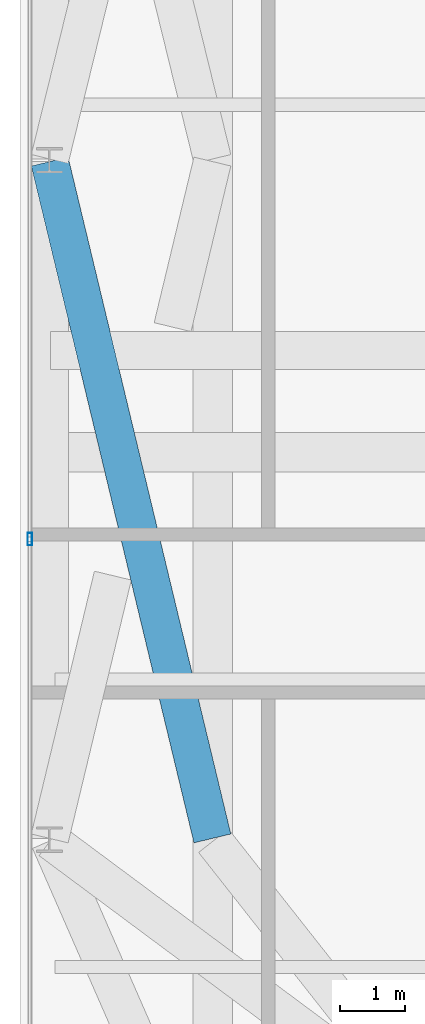
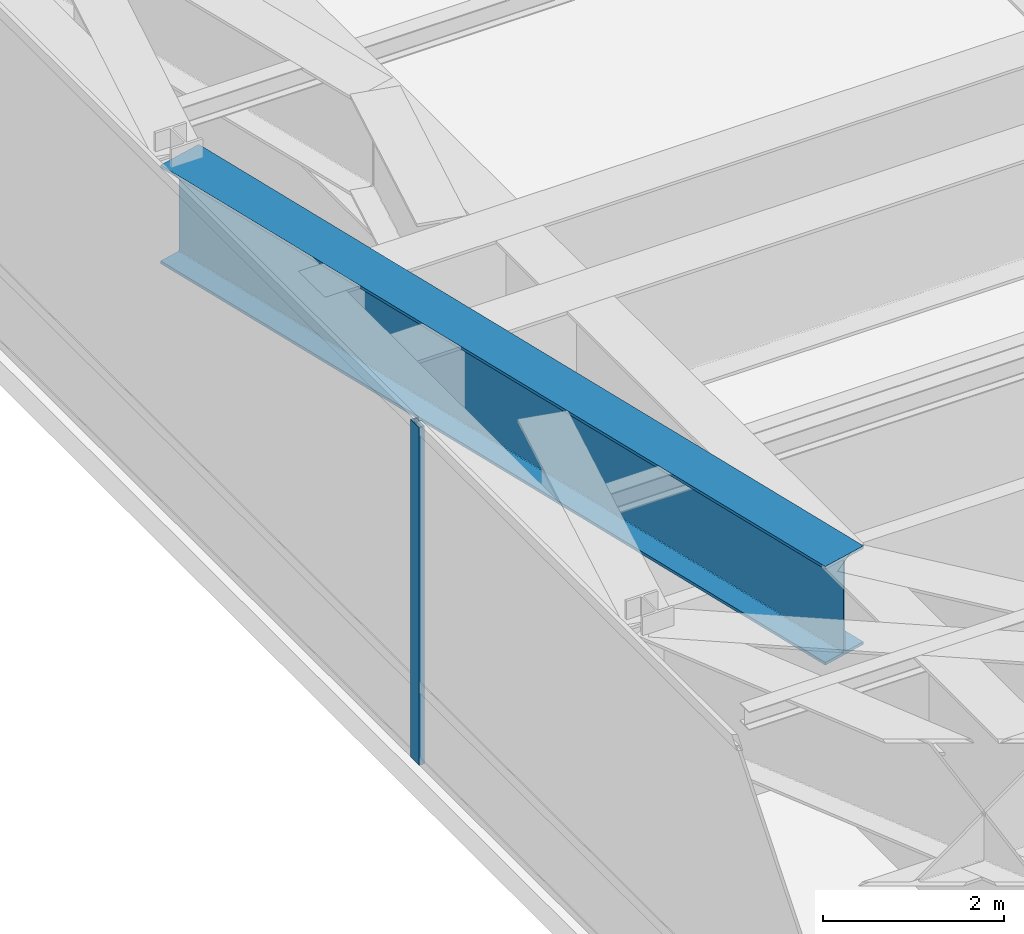
# One storey, part 6 of 32: 1 beam, 1 member, 1 element without a shape of its own.
"""IFC4 building model written with IfcOpenShell, lengths in metres."""

from ifc_helpers import new_model, si_unit, direction, frame, origin, origin_2d, place, context, subcontext, project, spatial, hollow_rectangle, i_section, extrude, source, transform, mapped, material, layer, layer_set, material_profile, profile_set, type_object, type_shapes, element, aggregate, save


model = new_model("IFC4")

# Units and contexts
model_context = context("Model", 3, precision=1e-05, world=origin(), true_north=direction((0.0, 1.0)))
body_context = subcontext(model_context, "Body", "Model", "MODEL_VIEW")
ifc_project = project(units=[si_unit("LENGTHUNIT", "METRE"), si_unit("AREAUNIT", "SQUARE_METRE"), si_unit("VOLUMEUNIT", "CUBIC_METRE"), si_unit("PLANEANGLEUNIT", "RADIAN"), si_unit("MASSUNIT", "GRAM", prefix="KILO")], contexts=[model_context])

# Site, building, storey
site_placement = place(None, origin())
site = spatial("IfcSite", under=ifc_project, at=site_placement, CompositionType="ELEMENT")
building_placement = place(site_placement, origin())
building = spatial("IfcBuilding", under=site, at=building_placement, Name="Varnel Quay Broadcast Tower", CompositionType="ELEMENT")
storey_placement = place(building_placement, frame((0.0, 0.0, 141.0)))
storey = spatial("IfcBuildingStorey", under=building, at=storey_placement, Name="L34", CompositionType="ELEMENT", Elevation=141.0)

# Beam
ifc_material_1 = material(Name="Structural Steel CSA G40.21 350WT", Category="steel")
ifc_material_profile_1 = material_profile(ifc_material_1, i_section(OverallWidth=0.580078125, OverallDepth=1.330078125, WebThickness=0.02197265625, FlangeThickness=0.0380859375, FilletRadius=0.02001953125, at=origin_2d()), Name="WWF1330X535")
ifc_profile_set_1 = profile_set([ifc_material_profile_1], Name="Structural Steel CSA G40.21 350WT")
beam_type = type_object("IfcBeamType", Name="Girder_WWF1330X535", PredefinedType="BEAM", material=ifc_profile_set_1)
shared_shape_1 = source(origin(), body_context, "Body", "SweptSolid", [
    extrude(i_section(OverallWidth=0.580078125, OverallDepth=1.330078125, WebThickness=0.02197265625, FlangeThickness=0.0380859375, FilletRadius=0.02001953125, at=origin_2d()), origin(), (0.0, 0.0, 1.0), 10.656494140625),
])
type_shapes(beam_type, [shared_shape_1])
beam_placement = place(storey_placement, frame((4.95458984375, 25.380615234375, 3.885009765625), z_axis=(0.233728198443, -0.972301974313, 0.0), x_axis=(0.972301974313, 0.233728198443, 0.0)))
element("IfcBeam", 1, at=beam_placement, inside=storey, type_object=beam_type, Name="L34 X-Braced Transfer Tie TC-W1-TC-W2", PredefinedType="BEAM", context=body_context, shape_type="MappedRepresentation", body=[
    mapped(shared_shape_1, transform((0.0, 0.0, 0.0), x_axis=(1.0, 0.0, 0.0), y_axis=(0.0, 1.0, 0.0), z_axis=(0.0, 0.0, 1.0), scale=1.0)),
])

# Curtain wall, member
ifc_material_2 = material(Name="Anodised Bronze Aluminium 6063-T6", Category="aluminium")
ifc_layer = layer(ifc_material_2, 0.18994140625, Name="Anodised Bronze Aluminium 6063-T6")
ifc_layer_set = layer_set([ifc_layer], Name="Anodised Bronze Aluminium 6063-T6")
curtain_wall_type = type_object("IfcCurtainWallType", Name="CW_LowerTower", PredefinedType="NOTDEFINED", material=ifc_layer_set)
curtain_wall_placement = place(storey_placement, origin())
curtain_wall = element("IfcCurtainWall", 2, at=curtain_wall_placement, inside=storey, type_object=curtain_wall_type, Name="L34 West Unitised Curtain Wall", PredefinedType="NOTDEFINED")
ifc_material_profile_2 = material_profile(ifc_material_2, hollow_rectangle(XDim=0.070068359375, YDim=0.18994140625, WallThickness=0.00390625, at=origin_2d()), Name="ALU70X190X4")
ifc_profile_set_2 = profile_set([ifc_material_profile_2], Name="Anodised Bronze Aluminium 6063-T6")
member_type = type_object("IfcMemberType", Name="Mull_CWS-02", PredefinedType="MULLION", material=ifc_profile_set_2)
shared_shape_2 = source(origin(), body_context, "Body", "SweptSolid", [
    extrude(hollow_rectangle(XDim=0.070068359375, YDim=0.18994140625, WallThickness=0.00390625, at=origin_2d()), origin(), (0.0, 0.0, 1.0), 4.550048828125),
])
type_shapes(member_type, [shared_shape_2])
member_placement = place(storey_placement, frame((4.64990234375, 19.60009765625, 0.0), z_axis=(0.0, 0.0, 1.0), x_axis=(-1.0, 0.0, 0.0)))
member = element("IfcMember", 3, at=member_placement, type_object=member_type, Name="CWS-02 mullion 2", PredefinedType="MULLION", context=body_context, shape_type="MappedRepresentation", body=[
    mapped(shared_shape_2, transform((0.0, 0.0, 0.0), x_axis=(1.0, 0.0, 0.0), y_axis=(0.0, 1.0, 0.0), z_axis=(0.0, 0.0, 1.0), scale=1.0)),
])
aggregate(curtain_wall, [member])

save(model, "model.ifc")
